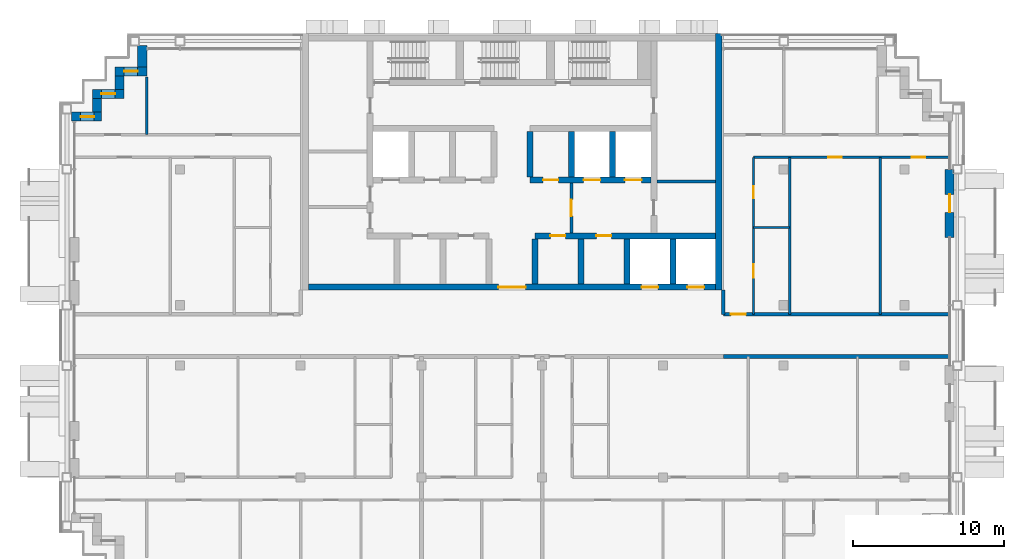
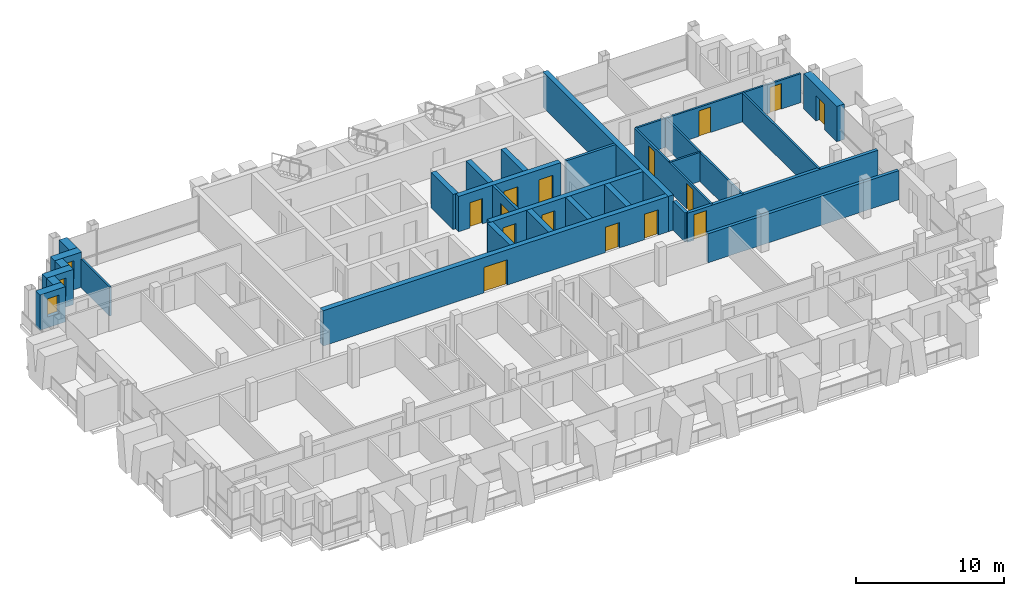
# One storey, part 10 of 16: 29 walls, 15 doors, 3 windows, 18 openings.
"""IFC4 building model written with IfcOpenShell, lengths in metres."""

from ifc_helpers import new_model, si_unit, direction, frame, frame_2d, origin, place, context, subcontext, project, spatial, rectangle, extrude, material, layer, layer_set, type_object, element, fill, save


model = new_model("IFC4")

# Units and contexts
model_context = context("Model", 3, precision=1e-05, world=origin(), true_north=direction((0.0, 1.0)))
body_context = subcontext(model_context, "Body", "Model", "MODEL_VIEW")
ifc_project = project(units=[si_unit("LENGTHUNIT", "METRE"), si_unit("AREAUNIT", "SQUARE_METRE"), si_unit("VOLUMEUNIT", "CUBIC_METRE"), si_unit("PLANEANGLEUNIT", "RADIAN"), si_unit("MASSUNIT", "GRAM", prefix="KILO")], contexts=[model_context])

# Site, building, storey
site_placement = place(None, origin())
site = spatial("IfcSite", under=ifc_project, at=site_placement, CompositionType="ELEMENT")
building_placement = place(site_placement, origin())
building = spatial("IfcBuilding", under=site, at=building_placement, Name="Vidyagriha Tower", CompositionType="ELEMENT")
storey_placement = place(building_placement, frame((0.0, 0.0, 223.60009765625)))
storey = spatial("IfcBuildingStorey", under=building, at=storey_placement, Name="L58", CompositionType="ELEMENT", Elevation=223.60009765625)

# Wall
ifc_material_1 = material(Name="Precast concrete C40/50 with brick facing", Category="concrete")
ifc_layer_1 = layer(ifc_material_1, 0.60009765625)
ifc_layer_set_1 = layer_set([ifc_layer_1], Name="Precast concrete C40/50 with brick facing")
wall_type_1 = type_object("IfcWallType", Name="Brick-faced precast wall 600", PredefinedType="STANDARD", material=ifc_layer_set_1)
wall_1_placement = place(storey_placement, frame((-24.5, 19.199951171875, 0.0), z_axis=(0.0, 0.0, 1.0), x_axis=(0.0, -1.0, 0.0)))
element("IfcWall", 1, at=wall_1_placement, inside=storey, type_object=wall_type_1, Name="Stepped corner wall L58 R10", PredefinedType="STANDARD", context=body_context, shape_type="SweptSolid", body=[
    extrude(rectangle(XDim=1.39990234375, YDim=0.60009765625, at=frame_2d((0.699951171875, 0.0))), origin(), (0.0, 0.0, 1.0), 2.919921875),
])

# Wall, opening, window
wall_2_placement = place(storey_placement, frame((-24.199951171875, 17.5, 0.0), z_axis=(0.0, 0.0, 1.0), x_axis=(-1.0, 0.0, 0.0)))
wall_2 = element("IfcWall", 2, at=wall_2_placement, inside=storey, type_object=wall_type_1, Name="Stepped corner wall L58 R11", PredefinedType="STANDARD", context=body_context, shape_type="SweptSolid", body=[
    extrude(rectangle(XDim=2.10009765625, YDim=0.60009765625, at=frame_2d((1.050048828125, 0.0))), origin(), (0.0, 0.0, 1.0), 2.919921875),
])
opening_1_placement = place(wall_2_placement, frame((0.60009765625, 0.0, 0.89990234375)))
opening_1 = element("IfcOpeningElement", 3, at=opening_1_placement, cuts=wall_2, Name="Opening WN1", PredefinedType="OPENING", context=body_context, shape_type="SweptSolid", body=[
    extrude(rectangle(XDim=0.89990234375, YDim=1.5, at=frame_2d((0.449951171875, 0.75))), frame((0.0, 0.31005859375, 0.0), z_axis=(0.0, -1.0, 0.0), x_axis=(1.0, 0.0, 0.0)), (0.0, 0.0, 1.0), 0.6201171875),
])
ifc_material_2 = material(Name="Aluminium and glass window", Category="aluminium")
window_type = type_object("IfcWindowType", Name="Reveal window 900x1500", PartitioningType="NOTDEFINED", PredefinedType="WINDOW", material=ifc_material_2)
window_1_placement = place(opening_1_placement, origin())
window_1 = element("IfcWindow", 4, at=window_1_placement, inside=storey, type_object=window_type, Name="Reveal window L58 R11", OverallHeight=1.5, OverallWidth=0.89990234375, PartitioningType="SINGLE_PANEL", PredefinedType="WINDOW", context=body_context, shape_type="SweptSolid", body=[
    extrude(rectangle(XDim=0.89990234375, YDim=1.5, at=frame_2d((0.449951171875, 0.75))), frame((0.0, 0.030029296875, 0.0), z_axis=(0.0, -1.0, 0.0), x_axis=(1.0, 0.0, 0.0)), (0.0, 0.0, 1.0), 0.06005859375),
])
fill(opening_1, window_1)

# Wall
wall_3_placement = place(storey_placement, frame((-26.0, 17.199951171875, 0.0), z_axis=(0.0, 0.0, 1.0), x_axis=(0.0, -1.0, 0.0)))
element("IfcWall", 5, at=wall_3_placement, inside=storey, type_object=wall_type_1, Name="Stepped corner wall L58 R12", PredefinedType="STANDARD", context=body_context, shape_type="SweptSolid", body=[
    extrude(rectangle(XDim=0.89990234375, YDim=0.60009765625, at=frame_2d((0.449951171875, 0.0))), origin(), (0.0, 0.0, 1.0), 2.919921875),
])

# Wall, opening, window
wall_4_placement = place(storey_placement, frame((-25.699951171875, 16.0, 0.0), z_axis=(0.0, 0.0, 1.0), x_axis=(-1.0, 0.0, 0.0)))
wall_4 = element("IfcWall", 6, at=wall_4_placement, inside=storey, type_object=wall_type_1, Name="Stepped corner wall L58 R13", PredefinedType="STANDARD", context=body_context, shape_type="SweptSolid", body=[
    extrude(rectangle(XDim=2.10009765625, YDim=0.60009765625, at=frame_2d((1.050048828125, 0.0))), origin(), (0.0, 0.0, 1.0), 2.919921875),
])
opening_2_placement = place(wall_4_placement, frame((0.60009765625, 0.0, 0.89990234375)))
opening_2 = element("IfcOpeningElement", 7, at=opening_2_placement, cuts=wall_4, Name="Opening WN1", PredefinedType="OPENING", context=body_context, shape_type="SweptSolid", body=[
    extrude(rectangle(XDim=0.89990234375, YDim=1.5, at=frame_2d((0.449951171875, 0.75))), frame((0.0, 0.31005859375, 0.0), z_axis=(0.0, -1.0, 0.0), x_axis=(1.0, 0.0, 0.0)), (0.0, 0.0, 1.0), 0.6201171875),
])
window_2_placement = place(opening_2_placement, origin())
window_2 = element("IfcWindow", 8, at=window_2_placement, inside=storey, type_object=window_type, Name="Reveal window L58 R13", OverallHeight=1.5, OverallWidth=0.89990234375, PartitioningType="SINGLE_PANEL", PredefinedType="WINDOW", context=body_context, shape_type="SweptSolid", body=[
    extrude(rectangle(XDim=0.89990234375, YDim=1.5, at=frame_2d((0.449951171875, 0.75))), frame((0.0, 0.030029296875, 0.0), z_axis=(0.0, -1.0, 0.0), x_axis=(1.0, 0.0, 0.0)), (0.0, 0.0, 1.0), 0.06005859375),
])
fill(opening_2, window_2)

# Wall
wall_5_placement = place(storey_placement, frame((-27.5, 15.699951171875, 0.0), z_axis=(0.0, 0.0, 1.0), x_axis=(0.0, -1.0, 0.0)))
element("IfcWall", 9, at=wall_5_placement, inside=storey, type_object=wall_type_1, Name="Stepped corner wall L58 R14", PredefinedType="STANDARD", context=body_context, shape_type="SweptSolid", body=[
    extrude(rectangle(XDim=0.89990234375, YDim=0.60009765625, at=frame_2d((0.449951171875, 0.0))), origin(), (0.0, 0.0, 1.0), 2.919921875),
])

# Wall, opening, window
wall_6_placement = place(storey_placement, frame((-27.199951171875, 14.5, 0.0), z_axis=(0.0, 0.0, 1.0), x_axis=(-1.0, 0.0, 0.0)))
wall_6 = element("IfcWall", 10, at=wall_6_placement, inside=storey, type_object=wall_type_1, Name="Stepped corner wall L58 R15", PredefinedType="STANDARD", context=body_context, shape_type="SweptSolid", body=[
    extrude(rectangle(XDim=2.0, YDim=0.60009765625, at=frame_2d((1.0, 0.0))), origin(), (0.0, 0.0, 1.0), 2.919921875),
])
opening_3_placement = place(wall_6_placement, frame((0.489990234375, 0.0, 0.89990234375)))
opening_3 = element("IfcOpeningElement", 11, at=opening_3_placement, cuts=wall_6, Name="Opening WN1", PredefinedType="OPENING", context=body_context, shape_type="SweptSolid", body=[
    extrude(rectangle(XDim=0.89990234375, YDim=1.5, at=frame_2d((0.449951171875, 0.75))), frame((0.0, 0.31005859375, 0.0), z_axis=(0.0, -1.0, 0.0), x_axis=(1.0, 0.0, 0.0)), (0.0, 0.0, 1.0), 0.6201171875),
])
window_3_placement = place(opening_3_placement, origin())
window_3 = element("IfcWindow", 12, at=window_3_placement, inside=storey, type_object=window_type, Name="Reveal window L58 R15", OverallHeight=1.5, OverallWidth=0.89990234375, PartitioningType="SINGLE_PANEL", PredefinedType="WINDOW", context=body_context, shape_type="SweptSolid", body=[
    extrude(rectangle(XDim=0.89990234375, YDim=1.5, at=frame_2d((0.449951171875, 0.75))), frame((0.0, 0.030029296875, 0.0), z_axis=(0.0, -1.0, 0.0), x_axis=(1.0, 0.0, 0.0)), (0.0, 0.0, 1.0), 0.06005859375),
])
fill(opening_3, window_3)

# Wall, opening, door
wall_7_placement = place(storey_placement, frame((29.0, 6.5, 0.0), z_axis=(0.0, 0.0, 1.0), x_axis=(0.0, 1.0, 0.0)))
wall_7 = element("IfcWall", 13, at=wall_7_placement, inside=storey, type_object=wall_type_1, Name="Brick door bay wall L58 R30.6", PredefinedType="STANDARD", context=body_context, shape_type="SweptSolid", body=[
    extrude(rectangle(XDim=4.5, YDim=0.60009765625, at=frame_2d((2.25, 0.0))), origin(), (0.0, 0.0, 1.0), 2.919921875),
])
opening_4_placement = place(wall_7_placement, frame((1.64990234375, 0.0, 0.0)))
opening_4 = element("IfcOpeningElement", 14, at=opening_4_placement, cuts=wall_7, Name="Opening D58-71", PredefinedType="OPENING", context=body_context, shape_type="SweptSolid", body=[
    extrude(rectangle(XDim=1.199951171875, YDim=2.10009765625, at=frame_2d((0.60009765625, 1.050048828125))), frame((0.0, 0.31005859375, 0.0), z_axis=(0.0, -1.0, 0.0), x_axis=(1.0, 0.0, 0.0)), (0.0, 0.0, 1.0), 0.6201171875),
])
ifc_material_3 = material(Name="Aluminium framed glazed sliding door", Category="aluminium")
door_type_1 = type_object("IfcDoorType", Name="Balcony sliding door 1200x2100", OperationType="NOTDEFINED", PredefinedType="DOOR", material=ifc_material_3)
door_1_placement = place(opening_4_placement, origin())
door_1 = element("IfcDoor", 15, at=door_1_placement, inside=storey, type_object=door_type_1, Name="Door D58-71", OperationType="SLIDING_TO_LEFT", OverallHeight=2.10009765625, OverallWidth=1.199951171875, PredefinedType="DOOR", context=body_context, shape_type="SweptSolid", body=[
    extrude(rectangle(XDim=1.199951171875, YDim=2.10009765625, at=frame_2d((0.60009765625, 1.050048828125))), frame((0.0, 0.02490234375, 0.0), z_axis=(0.0, -1.0, 0.0), x_axis=(1.0, 0.0, 0.0)), (0.0, 0.0, 1.0), 0.050048828125),
])
fill(opening_4, door_1)

# Wall
ifc_material_4 = material(Name="Concrete C60/75", Category="concrete")
ifc_layer_2 = layer(ifc_material_4, 0.39990234375)
ifc_layer_set_2 = layer_set([ifc_layer_2], Name="Concrete C60/75")
wall_type_2 = type_object("IfcWallType", Name="Core shear wall 400 mm", PredefinedType="SHEAR", material=ifc_layer_set_2)
wall_8_placement = place(storey_placement, frame((13.699951171875, 3.0, 0.0), z_axis=(0.0, 0.0, 1.0), x_axis=(0.0, 1.0, 0.0)))
element("IfcWall", 16, at=wall_8_placement, inside=storey, type_object=wall_type_2, Name="Core east wall", PredefinedType="SHEAR", context=body_context, shape_type="SweptSolid", body=[
    extrude(rectangle(XDim=17.0, YDim=0.39990234375, at=frame_2d((8.5, 0.0))), origin(), (0.0, 0.0, 1.0), 2.919921875),
])

# Wall, openings, doors
wall_9_placement = place(storey_placement, frame((-13.5, 3.199951171875, 0.0)))
wall_9 = element("IfcWall", 17, at=wall_9_placement, inside=storey, type_object=wall_type_2, Name="Core front wall", PredefinedType="SHEAR", context=body_context, shape_type="SweptSolid", body=[
    extrude(rectangle(XDim=27.0, YDim=0.39990234375, at=frame_2d((13.5, 0.0))), origin(), (0.0, 0.0, 1.0), 2.919921875),
])
opening_5_placement = place(wall_9_placement, frame((22.083251953125, 0.0, 0.0)))
opening_5 = element("IfcOpeningElement", 18, at=opening_5_placement, cuts=wall_9, Name="Opening LD58-01", PredefinedType="OPENING", context=body_context, shape_type="SweptSolid", body=[
    extrude(rectangle(XDim=1.10009765625, YDim=2.10009765625, at=frame_2d((0.550048828125, 1.050048828125))), frame((0.0, 0.2099609375, 0.0), z_axis=(0.0, -1.0, 0.0), x_axis=(1.0, 0.0, 0.0)), (0.0, 0.0, 1.0), 0.419921875),
])
opening_6_placement = place(wall_9_placement, frame((25.127685546875, 0.0, 0.0)))
opening_6 = element("IfcOpeningElement", 19, at=opening_6_placement, cuts=wall_9, Name="Opening LD58-02", PredefinedType="OPENING", context=body_context, shape_type="SweptSolid", body=[
    extrude(rectangle(XDim=1.10009765625, YDim=2.10009765625, at=frame_2d((0.550048828125, 1.050048828125))), frame((0.0, 0.2099609375, 0.0), z_axis=(0.0, -1.0, 0.0), x_axis=(1.0, 0.0, 0.0)), (0.0, 0.0, 1.0), 0.419921875),
])
opening_7_placement = place(wall_9_placement, frame((12.60009765625, 0.0, 0.0)))
opening_7 = element("IfcOpeningElement", 20, at=opening_7_placement, cuts=wall_9, Name="Opening D58-01", PredefinedType="OPENING", context=body_context, shape_type="SweptSolid", body=[
    extrude(rectangle(XDim=1.800048828125, YDim=2.10009765625, at=frame_2d((0.89990234375, 1.050048828125))), frame((0.0, 0.2099609375, 0.0), z_axis=(0.0, -1.0, 0.0), x_axis=(1.0, 0.0, 0.0)), (0.0, 0.0, 1.0), 0.419921875),
])
ifc_material_5 = material(Name="Hollow metal door leaf")
door_type_2 = type_object("IfcDoorType", Name="Core lobby double door 1800 x 2100 mm EI 60", OperationType="NOTDEFINED", PredefinedType="DOOR", material=ifc_material_5)
door_2_placement = place(opening_7_placement, frame((1.800048828125, 0.0, 0.0), z_axis=(0.0, 0.0, 1.0), x_axis=(-1.0, 0.0, 0.0)))
door_2 = element("IfcDoor", 21, at=door_2_placement, inside=storey, type_object=door_type_2, Name="Core entrance door L58", OperationType="DOUBLE_DOOR_SINGLE_SWING", OverallHeight=2.10009765625, OverallWidth=1.800048828125, PredefinedType="DOOR", context=body_context, shape_type="SweptSolid", body=[
    extrude(rectangle(XDim=1.800048828125, YDim=2.10009765625, at=frame_2d((0.89990234375, 1.050048828125))), frame((0.0, 0.02490234375, 0.0), z_axis=(0.0, -1.0, 0.0), x_axis=(1.0, 0.0, 0.0)), (0.0, 0.0, 1.0), 0.050048828125),
])
fill(opening_7, door_2)
ifc_material_6 = material(Name="Stainless steel sliding door panel", Category="steel")
door_type_3 = type_object("IfcDoorType", Name="Lift landing door 1100 x 2100 mm EI 90", OperationType="NOTDEFINED", PredefinedType="DOOR", material=ifc_material_6)
door_3_placement = place(opening_5_placement, origin())
door_3 = element("IfcDoor", 22, at=door_3_placement, inside=storey, type_object=door_type_3, Name="Landing door MR1 L58", OperationType="SLIDING_TO_LEFT", OverallHeight=2.10009765625, OverallWidth=1.10009765625, PredefinedType="DOOR", context=body_context, shape_type="SweptSolid", body=[
    extrude(rectangle(XDim=1.10009765625, YDim=2.10009765625, at=frame_2d((0.550048828125, 1.050048828125))), frame((0.0, 0.02490234375, 0.0), z_axis=(0.0, -1.0, 0.0), x_axis=(1.0, 0.0, 0.0)), (0.0, 0.0, 1.0), 0.050048828125),
])
fill(opening_5, door_3)
door_4_placement = place(opening_6_placement, origin())
door_4 = element("IfcDoor", 23, at=door_4_placement, inside=storey, type_object=door_type_3, Name="Landing door MR2 L58", OperationType="SLIDING_TO_LEFT", OverallHeight=2.10009765625, OverallWidth=1.10009765625, PredefinedType="DOOR", context=body_context, shape_type="SweptSolid", body=[
    extrude(rectangle(XDim=1.10009765625, YDim=2.10009765625, at=frame_2d((0.550048828125, 1.050048828125))), frame((0.0, 0.02490234375, 0.0), z_axis=(0.0, -1.0, 0.0), x_axis=(1.0, 0.0, 0.0)), (0.0, 0.0, 1.0), 0.050048828125),
])
fill(opening_6, door_4)

wall_10_placement = place(storey_placement, frame((1.522216796875, 6.60009765625, 0.0)))
wall_10 = element("IfcWall", 24, at=wall_10_placement, inside=storey, type_object=wall_type_2, Name="Core lobby south wall east", PredefinedType="SHEAR", context=body_context, shape_type="SweptSolid", body=[
    extrude(rectangle(XDim=11.977783203125, YDim=0.39990234375, at=frame_2d((5.98876953125, 0.0))), origin(), (0.0, 0.0, 1.0), 2.919921875),
])
opening_8_placement = place(wall_10_placement, frame((1.022216796875, 0.0, 0.0)))
opening_8 = element("IfcOpeningElement", 25, at=opening_8_placement, cuts=wall_10, Name="Opening D58-04", PredefinedType="OPENING", context=body_context, shape_type="SweptSolid", body=[
    extrude(rectangle(XDim=1.0, YDim=2.10009765625, at=frame_2d((0.5, 1.050048828125))), frame((0.0, 0.2099609375, 0.0), z_axis=(0.0, -1.0, 0.0), x_axis=(1.0, 0.0, 0.0)), (0.0, 0.0, 1.0), 0.419921875),
])
opening_9_placement = place(wall_10_placement, frame((4.066650390625, 0.0, 0.0)))
opening_9 = element("IfcOpeningElement", 26, at=opening_9_placement, cuts=wall_10, Name="Opening D58-05", PredefinedType="OPENING", context=body_context, shape_type="SweptSolid", body=[
    extrude(rectangle(XDim=1.0, YDim=2.10009765625, at=frame_2d((0.5, 1.050048828125))), frame((0.0, 0.2099609375, 0.0), z_axis=(0.0, -1.0, 0.0), x_axis=(1.0, 0.0, 0.0)), (0.0, 0.0, 1.0), 0.419921875),
])
ifc_material_7 = material(Name="Hollow metal door leaf")
door_type_4 = type_object("IfcDoorType", Name="Core room door 1000 x 2100 mm EI 60", OperationType="NOTDEFINED", PredefinedType="DOOR", material=ifc_material_7)
door_5_placement = place(opening_8_placement, origin())
door_5 = element("IfcDoor", 27, at=door_5_placement, inside=storey, type_object=door_type_4, Name="Door Storage Room 58.03", OperationType="SINGLE_SWING_RIGHT", OverallHeight=2.10009765625, OverallWidth=1.0, PredefinedType="DOOR", context=body_context, shape_type="SweptSolid", body=[
    extrude(rectangle(XDim=1.0, YDim=2.10009765625, at=frame_2d((0.5, 1.050048828125))), frame((0.0, 0.02490234375, 0.0), z_axis=(0.0, -1.0, 0.0), x_axis=(1.0, 0.0, 0.0)), (0.0, 0.0, 1.0), 0.050048828125),
])
fill(opening_8, door_5)
door_6_placement = place(opening_9_placement, origin())
door_6 = element("IfcDoor", 28, at=door_6_placement, inside=storey, type_object=door_type_4, Name="Door Electrical Room 58.04", OperationType="SINGLE_SWING_RIGHT", OverallHeight=2.10009765625, OverallWidth=1.0, PredefinedType="DOOR", context=body_context, shape_type="SweptSolid", body=[
    extrude(rectangle(XDim=1.0, YDim=2.10009765625, at=frame_2d((0.5, 1.050048828125))), frame((0.0, 0.02490234375, 0.0), z_axis=(0.0, -1.0, 0.0), x_axis=(1.0, 0.0, 0.0)), (0.0, 0.0, 1.0), 0.050048828125),
])
fill(opening_9, door_6)

# Walls
for number, where, z_axis, x_axis, name in (
    (29, (1.522216796875, 3.39990234375, 0.0), (0.0, 0.0, 1.0), (0.0, 1.0, 0.0), "Core bay wall S5"),
    (30, (4.566650390625, 3.39990234375, 0.0), (0.0, 0.0, 1.0), (0.0, 1.0, 0.0), "Core bay wall S6"),
    (31, (7.611083984375, 3.39990234375, 0.0), (0.0, 0.0, 1.0), (0.0, 1.0, 0.0), "Core bay wall S7"),
    (32, (10.655517578125, 3.39990234375, 0.0), (0.0, 0.0, 1.0), (0.0, 1.0, 0.0), "Core bay wall S8"),
):
    element("IfcWall", number, at=place(storey_placement, frame(where, z_axis=z_axis, x_axis=x_axis)), inside=storey, type_object=wall_type_2, Name=name, PredefinedType="SHEAR", context=body_context, shape_type="SweptSolid", body=[
        extrude(rectangle(XDim=3.0, YDim=0.39990234375, at=frame_2d((1.5, 0.0))), origin(), (0.0, 0.0, 1.0), 2.919921875),
    ])

# Wall, openings, doors
wall_11_placement = place(storey_placement, frame((1.199951171875, 10.300048828125, 0.0)))
wall_11 = element("IfcWall", 33, at=wall_11_placement, inside=storey, type_object=wall_type_2, Name="Core row N front wall", PredefinedType="SHEAR", context=body_context, shape_type="SweptSolid", body=[
    extrude(rectangle(XDim=8.0, YDim=0.39990234375, at=frame_2d((4.0, 0.0))), origin(), (0.0, 0.0, 1.0), 2.919921875),
])
opening_10_placement = place(wall_11_placement, frame((3.550048828125, 0.0, 0.0)))
opening_10 = element("IfcOpeningElement", 34, at=opening_10_placement, cuts=wall_11, Name="Opening LD58-04", PredefinedType="OPENING", context=body_context, shape_type="SweptSolid", body=[
    extrude(rectangle(XDim=1.10009765625, YDim=2.10009765625, at=frame_2d((0.550048828125, 1.050048828125))), frame((0.0, 0.2099609375, 0.0), z_axis=(0.0, -1.0, 0.0), x_axis=(1.0, 0.0, 0.0)), (0.0, 0.0, 1.0), 0.419921875),
])
opening_11_placement = place(wall_11_placement, frame((6.283203125, 0.0, 0.0)))
opening_11 = element("IfcOpeningElement", 35, at=opening_11_placement, cuts=wall_11, Name="Opening LD58-05", PredefinedType="OPENING", context=body_context, shape_type="SweptSolid", body=[
    extrude(rectangle(XDim=1.10009765625, YDim=2.10009765625, at=frame_2d((0.550048828125, 1.050048828125))), frame((0.0, 0.2099609375, 0.0), z_axis=(0.0, -1.0, 0.0), x_axis=(1.0, 0.0, 0.0)), (0.0, 0.0, 1.0), 0.419921875),
])
opening_12_placement = place(wall_11_placement, frame((0.86669921875, 0.0, 0.0)))
opening_12 = element("IfcOpeningElement", 36, at=opening_12_placement, cuts=wall_11, Name="Opening D58-08", PredefinedType="OPENING", context=body_context, shape_type="SweptSolid", body=[
    extrude(rectangle(XDim=1.0, YDim=2.10009765625, at=frame_2d((0.5, 1.050048828125))), frame((0.0, 0.2099609375, 0.0), z_axis=(0.0, -1.0, 0.0), x_axis=(1.0, 0.0, 0.0)), (0.0, 0.0, 1.0), 0.419921875),
])
door_7_placement = place(opening_12_placement, frame((1.0, 0.0, 0.0), z_axis=(0.0, 0.0, 1.0), x_axis=(-1.0, 0.0, 0.0)))
door_7 = element("IfcDoor", 37, at=door_7_placement, inside=storey, type_object=door_type_4, Name="Door Switchgear Room 58.16", OperationType="SINGLE_SWING_LEFT", OverallHeight=2.10009765625, OverallWidth=1.0, PredefinedType="DOOR", context=body_context, shape_type="SweptSolid", body=[
    extrude(rectangle(XDim=1.0, YDim=2.10009765625, at=frame_2d((0.5, 1.050048828125))), frame((0.0, 0.02490234375, 0.0), z_axis=(0.0, -1.0, 0.0), x_axis=(1.0, 0.0, 0.0)), (0.0, 0.0, 1.0), 0.050048828125),
])
fill(opening_12, door_7)
door_8_placement = place(opening_10_placement, origin())
door_8 = element("IfcDoor", 38, at=door_8_placement, inside=storey, type_object=door_type_3, Name="Landing door FF1 L58", OperationType="SLIDING_TO_LEFT", OverallHeight=2.10009765625, OverallWidth=1.10009765625, PredefinedType="DOOR", context=body_context, shape_type="SweptSolid", body=[
    extrude(rectangle(XDim=1.10009765625, YDim=2.10009765625, at=frame_2d((0.550048828125, 1.050048828125))), frame((0.0, 0.02490234375, 0.0), z_axis=(0.0, -1.0, 0.0), x_axis=(1.0, 0.0, 0.0)), (0.0, 0.0, 1.0), 0.050048828125),
])
fill(opening_10, door_8)
door_9_placement = place(opening_11_placement, origin())
door_9 = element("IfcDoor", 39, at=door_9_placement, inside=storey, type_object=door_type_3, Name="Landing door FF2 L58", OperationType="SLIDING_TO_LEFT", OverallHeight=2.10009765625, OverallWidth=1.10009765625, PredefinedType="DOOR", context=body_context, shape_type="SweptSolid", body=[
    extrude(rectangle(XDim=1.10009765625, YDim=2.10009765625, at=frame_2d((0.550048828125, 1.050048828125))), frame((0.0, 0.02490234375, 0.0), z_axis=(0.0, -1.0, 0.0), x_axis=(1.0, 0.0, 0.0)), (0.0, 0.0, 1.0), 0.050048828125),
])
fill(opening_11, door_9)

# Walls
for number, where, z_axis, x_axis, name in (
    (40, (1.199951171875, 10.5, 0.0), (0.0, 0.0, 1.0), (0.0, 1.0, 0.0), "Core bay wall N4"),
    (41, (3.933349609375, 10.5, 0.0), (0.0, 0.0, 1.0), (0.0, 1.0, 0.0), "Core bay wall N5"),
    (42, (6.666748046875, 10.5, 0.0), (0.0, 0.0, 1.0), (0.0, 1.0, 0.0), "Core bay wall N6"),
):
    element("IfcWall", number, at=place(storey_placement, frame(where, z_axis=z_axis, x_axis=x_axis)), inside=storey, type_object=wall_type_2, Name=name, PredefinedType="SHEAR", context=body_context, shape_type="SweptSolid", body=[
        extrude(rectangle(XDim=3.0, YDim=0.39990234375, at=frame_2d((1.5, 0.0))), origin(), (0.0, 0.0, 1.0), 2.919921875),
    ])
ifc_material_8 = material(Name="Fired clay brick masonry", Category="masonry")
ifc_layer_3 = layer(ifc_material_8, 0.25)
ifc_layer_set_3 = layer_set([ifc_layer_3], Name="Fired clay brick masonry")
wall_type_3 = type_object("IfcWallType", Name="Fired clay brick corridor wall 250", PredefinedType="PARTITIONING", material=ifc_layer_set_3)
wall_12_placement = place(storey_placement, frame((28.919921875, -1.39990234375, 0.0), z_axis=(0.0, 0.0, 1.0), x_axis=(-1.0, 0.0, 0.0)))
element("IfcWall", 43, at=wall_12_placement, inside=storey, type_object=wall_type_3, Name="Wall all-L58-w063", PredefinedType="PARTITIONING", context=body_context, shape_type="SweptSolid", body=[
    extrude(rectangle(XDim=14.919921875, YDim=0.25, at=frame_2d((7.4599609375, 0.0))), origin(), (0.0, 0.0, 1.0), 2.39990234375),
])

# Wall, opening, door
wall_13_placement = place(storey_placement, frame((14.0, 1.39990234375, 0.0)))
wall_13 = element("IfcWall", 44, at=wall_13_placement, inside=storey, type_object=wall_type_3, Name="Wall all-L58-w095", PredefinedType="PARTITIONING", context=body_context, shape_type="SweptSolid", body=[
    extrude(rectangle(XDim=14.919921875, YDim=0.25, at=frame_2d((7.4599609375, 0.0))), origin(), (0.0, 0.0, 1.0), 2.39990234375),
])
opening_13_placement = place(wall_13_placement, frame((0.5, 0.0, 0.0)))
opening_13 = element("IfcOpeningElement", 45, at=opening_13_placement, cuts=wall_13, Name="Opening D58-61", PredefinedType="OPENING", context=body_context, shape_type="SweptSolid", body=[
    extrude(rectangle(XDim=1.0, YDim=2.10009765625, at=frame_2d((0.5, 1.050048828125))), frame((0.0, 0.135009765625, 0.0), z_axis=(0.0, -1.0, 0.0), x_axis=(1.0, 0.0, 0.0)), (0.0, 0.0, 1.0), 0.27001953125),
])
ifc_material_9 = material(Name="Fire-rated timber door leaf EI 60", Category="wood")
door_type_5 = type_object("IfcDoorType", Name="Flat entrance fire door 1000x2100", OperationType="NOTDEFINED", PredefinedType="DOOR", material=ifc_material_9)
door_10_placement = place(opening_13_placement, origin())
door_10 = element("IfcDoor", 46, at=door_10_placement, inside=storey, type_object=door_type_5, Name="Door D58-61", OperationType="SINGLE_SWING_LEFT", OverallHeight=2.10009765625, OverallWidth=1.0, PredefinedType="DOOR", context=body_context, shape_type="SweptSolid", body=[
    extrude(rectangle(XDim=1.0, YDim=2.10009765625, at=frame_2d((0.5, 1.050048828125))), frame((0.0, 0.02490234375, 0.0), z_axis=(0.0, -1.0, 0.0), x_axis=(1.0, 0.0, 0.0)), (0.0, 0.0, 1.0), 0.050048828125),
])
fill(opening_13, door_10)

# Walls
wall_14_placement = place(storey_placement, frame((14.0, 1.39990234375, 0.0), z_axis=(0.0, 0.0, 1.0), x_axis=(0.0, 1.0, 0.0)))
element("IfcWall", 47, at=wall_14_placement, inside=storey, type_object=wall_type_3, Name="Wall all-L58-w098", PredefinedType="PARTITIONING", context=body_context, shape_type="SweptSolid", body=[
    extrude(rectangle(XDim=1.60009765625, YDim=0.25, at=frame_2d((0.800048828125, 0.0))), origin(), (0.0, 0.0, 1.0), 2.39990234375),
])
ifc_material_10 = material(Name="Gypsum board partition")
ifc_layer_4 = layer(ifc_material_10, 0.14990234375)
ifc_layer_set_4 = layer_set([ifc_layer_4], Name="Gypsum board partition")
wall_type_4 = type_object("IfcWallType", Name="Gypsum board partition 150", PredefinedType="PARTITIONING", material=ifc_layer_set_4)
wall_15_placement = place(storey_placement, frame((-24.199951171875, 17.1201171875, 0.0), z_axis=(0.0, 0.0, 1.0), x_axis=(0.0, -1.0, 0.0)))
element("IfcWall", 48, at=wall_15_placement, inside=storey, type_object=wall_type_4, Name="Wall all-L58-w076", PredefinedType="PARTITIONING", context=body_context, shape_type="SweptSolid", body=[
    extrude(rectangle(XDim=3.820068359375, YDim=0.14990234375, at=frame_2d((1.91015625, 0.0))), origin(), (0.0, 0.0, 1.0), 2.39990234375),
])
wall_16_placement = place(storey_placement, frame((16.0, 7.14990234375, 0.0)))
element("IfcWall", 49, at=wall_16_placement, inside=storey, type_object=wall_type_4, Name="Wall all-L58-w082", PredefinedType="PARTITIONING", context=body_context, shape_type="SweptSolid", body=[
    extrude(rectangle(XDim=2.39990234375, YDim=0.14990234375, at=frame_2d((1.199951171875, 0.0))), origin(), (0.0, 0.0, 1.0), 2.39990234375),
])
for number, where, z_axis, x_axis, name in (
    (50, (18.39990234375, 11.800048828125, 0.0), (0.0, 0.0, 1.0), (0.0, -1.0, 0.0), "Wall all-L58-w083"),
    (51, (24.39990234375, 11.800048828125, 0.0), (0.0, 0.0, 1.0), (0.0, -1.0, 0.0), "Wall all-L58-w084"),
):
    element("IfcWall", number, at=place(storey_placement, frame(where, z_axis=z_axis, x_axis=x_axis)), inside=storey, type_object=wall_type_4, Name=name, PredefinedType="PARTITIONING", context=body_context, shape_type="SweptSolid", body=[
        extrude(rectangle(XDim=10.400146484375, YDim=0.14990234375, at=frame_2d((5.2001953125, 0.0))), origin(), (0.0, 0.0, 1.0), 2.39990234375),
    ])

# Wall, openings, doors
wall_17_placement = place(storey_placement, frame((28.919921875, 11.800048828125, 0.0), z_axis=(0.0, 0.0, 1.0), x_axis=(-1.0, 0.0, 0.0)))
wall_17 = element("IfcWall", 52, at=wall_17_placement, inside=storey, type_object=wall_type_4, Name="Wall all-L58-w085", PredefinedType="PARTITIONING", context=body_context, shape_type="SweptSolid", body=[
    extrude(rectangle(XDim=12.919921875, YDim=0.14990234375, at=frame_2d((6.4599609375, 0.0))), origin(), (0.0, 0.0, 1.0), 2.39990234375),
])
opening_14_placement = place(wall_17_placement, frame((7.070068359375, 0.0, 0.0)))
opening_14 = element("IfcOpeningElement", 53, at=opening_14_placement, cuts=wall_17, Name="Opening D58-56", PredefinedType="OPENING", context=body_context, shape_type="SweptSolid", body=[
    extrude(rectangle(XDim=0.89990234375, YDim=2.10009765625, at=frame_2d((0.449951171875, 1.050048828125))), frame((0.0, 0.0849609375, 0.0), z_axis=(0.0, -1.0, 0.0), x_axis=(1.0, 0.0, 0.0)), (0.0, 0.0, 1.0), 0.169921875),
])
opening_15_placement = place(wall_17_placement, frame((1.5439453125, 0.0, 0.0)))
opening_15 = element("IfcOpeningElement", 54, at=opening_15_placement, cuts=wall_17, Name="Opening D58-57", PredefinedType="OPENING", context=body_context, shape_type="SweptSolid", body=[
    extrude(rectangle(XDim=0.89990234375, YDim=2.10009765625, at=frame_2d((0.449951171875, 1.050048828125))), frame((0.0, 0.0849609375, 0.0), z_axis=(0.0, -1.0, 0.0), x_axis=(1.0, 0.0, 0.0)), (0.0, 0.0, 1.0), 0.169921875),
])
ifc_material_11 = material(Name="Timber door leaf", Category="wood")
door_type_6 = type_object("IfcDoorType", Name="Room door 900x2100", OperationType="NOTDEFINED", PredefinedType="DOOR", material=ifc_material_11)
door_11_placement = place(opening_14_placement, origin())
door_11 = element("IfcDoor", 55, at=door_11_placement, inside=storey, type_object=door_type_6, Name="Door D58-56", OperationType="SINGLE_SWING_RIGHT", OverallHeight=2.10009765625, OverallWidth=0.89990234375, PredefinedType="DOOR", context=body_context, shape_type="SweptSolid", body=[
    extrude(rectangle(XDim=0.89990234375, YDim=2.10009765625, at=frame_2d((0.449951171875, 1.050048828125))), frame((0.0, 0.02490234375, 0.0), z_axis=(0.0, -1.0, 0.0), x_axis=(1.0, 0.0, 0.0)), (0.0, 0.0, 1.0), 0.050048828125),
])
fill(opening_14, door_11)
door_12_placement = place(opening_15_placement, origin())
door_12 = element("IfcDoor", 56, at=door_12_placement, inside=storey, type_object=door_type_6, Name="Door D58-57", OperationType="SINGLE_SWING_LEFT", OverallHeight=2.10009765625, OverallWidth=0.89990234375, PredefinedType="DOOR", context=body_context, shape_type="SweptSolid", body=[
    extrude(rectangle(XDim=0.89990234375, YDim=2.10009765625, at=frame_2d((0.449951171875, 1.050048828125))), frame((0.0, 0.02490234375, 0.0), z_axis=(0.0, -1.0, 0.0), x_axis=(1.0, 0.0, 0.0)), (0.0, 0.0, 1.0), 0.050048828125),
])
fill(opening_15, door_12)

ifc_material_12 = material(Name="Moisture resistant gypsum board partition")
ifc_layer_5 = layer(ifc_material_12, 0.14990234375)
ifc_layer_set_5 = layer_set([ifc_layer_5], Name="Moisture resistant gypsum board partition")
wall_type_5 = type_object("IfcWallType", Name="Gypsum board wet-area partition 150", PredefinedType="PARTITIONING", material=ifc_layer_set_5)
wall_18_placement = place(storey_placement, frame((16.0, 11.800048828125, 0.0), z_axis=(0.0, 0.0, 1.0), x_axis=(0.0, -1.0, 0.0)))
wall_18 = element("IfcWall", 57, at=wall_18_placement, inside=storey, type_object=wall_type_5, Name="Wall all-L58-w079", PredefinedType="PARTITIONING", context=body_context, shape_type="SweptSolid", body=[
    extrude(rectangle(XDim=10.400146484375, YDim=0.14990234375, at=frame_2d((5.2001953125, 0.0))), origin(), (0.0, 0.0, 1.0), 2.39990234375),
])
opening_16_placement = place(wall_18_placement, frame((7.074951171875, 0.0, 0.0)))
opening_16 = element("IfcOpeningElement", 58, at=opening_16_placement, cuts=wall_18, Name="Opening D58-54", PredefinedType="OPENING", context=body_context, shape_type="SweptSolid", body=[
    extrude(rectangle(XDim=0.89990234375, YDim=2.10009765625, at=frame_2d((0.449951171875, 1.050048828125))), frame((0.0, 0.0849609375, 0.0), z_axis=(0.0, -1.0, 0.0), x_axis=(1.0, 0.0, 0.0)), (0.0, 0.0, 1.0), 0.169921875),
])
opening_17_placement = place(wall_18_placement, frame((1.925048828125, 0.0, 0.0)))
opening_17 = element("IfcOpeningElement", 59, at=opening_17_placement, cuts=wall_18, Name="Opening D58-55", PredefinedType="OPENING", context=body_context, shape_type="SweptSolid", body=[
    extrude(rectangle(XDim=0.800048828125, YDim=2.10009765625, at=frame_2d((0.39990234375, 1.050048828125))), frame((0.0, 0.0849609375, 0.0), z_axis=(0.0, -1.0, 0.0), x_axis=(1.0, 0.0, 0.0)), (0.0, 0.0, 1.0), 0.169921875),
])
ifc_material_13 = material(Name="Timber door leaf", Category="wood")
door_type_7 = type_object("IfcDoorType", Name="Bathroom door 800x2100", OperationType="NOTDEFINED", PredefinedType="DOOR", material=ifc_material_13)
door_13_placement = place(opening_17_placement, origin())
door_13 = element("IfcDoor", 60, at=door_13_placement, inside=storey, type_object=door_type_7, Name="Door D58-55", OperationType="SINGLE_SWING_RIGHT", OverallHeight=2.10009765625, OverallWidth=0.800048828125, PredefinedType="DOOR", context=body_context, shape_type="SweptSolid", body=[
    extrude(rectangle(XDim=0.800048828125, YDim=2.10009765625, at=frame_2d((0.39990234375, 1.050048828125))), frame((0.0, 0.02490234375, 0.0), z_axis=(0.0, -1.0, 0.0), x_axis=(1.0, 0.0, 0.0)), (0.0, 0.0, 1.0), 0.050048828125),
])
fill(opening_17, door_13)
ifc_material_14 = material(Name="Timber door leaf", Category="wood")
door_type_8 = type_object("IfcDoorType", Name="Kitchen door 900x2100", OperationType="NOTDEFINED", PredefinedType="DOOR", material=ifc_material_14)
door_14_placement = place(opening_16_placement, origin())
door_14 = element("IfcDoor", 61, at=door_14_placement, inside=storey, type_object=door_type_8, Name="Door D58-54", OperationType="SINGLE_SWING_LEFT", OverallHeight=2.10009765625, OverallWidth=0.89990234375, PredefinedType="DOOR", context=body_context, shape_type="SweptSolid", body=[
    extrude(rectangle(XDim=0.89990234375, YDim=2.10009765625, at=frame_2d((0.449951171875, 1.050048828125))), frame((0.0, 0.02490234375, 0.0), z_axis=(0.0, -1.0, 0.0), x_axis=(1.0, 0.0, 0.0)), (0.0, 0.0, 1.0), 0.050048828125),
])
fill(opening_16, door_14)

# Wall, opening, door
ifc_material_15 = material(Name="Blockwork 15 MPa", Category="masonry")
ifc_layer_6 = layer(ifc_material_15, 0.199951171875)
ifc_layer_set_6 = layer_set([ifc_layer_6], Name="Blockwork 15 MPa")
wall_type_6 = type_object("IfcWallType", Name="Service room partition 200 mm", PredefinedType="PARTITIONING", material=ifc_layer_set_6)
wall_19_placement = place(storey_placement, frame((3.933349609375, 6.800048828125, 0.0), z_axis=(0.0, 0.0, 1.0), x_axis=(0.0, 1.0, 0.0)))
wall_19 = element("IfcWall", 62, at=wall_19_placement, inside=storey, type_object=wall_type_6, Name="Fire-fighting lobby west wall", PredefinedType="PARTITIONING", context=body_context, shape_type="SweptSolid", body=[
    extrude(rectangle(XDim=3.300048828125, YDim=0.199951171875, at=frame_2d((1.64990234375, 0.0))), origin(), (0.0, 0.0, 1.0), 2.919921875),
])
opening_18_placement = place(wall_19_placement, frame((1.10009765625, 0.0, 0.0)))
opening_18 = element("IfcOpeningElement", 63, at=opening_18_placement, cuts=wall_19, Name="Opening D58-09", PredefinedType="OPENING", context=body_context, shape_type="SweptSolid", body=[
    extrude(rectangle(XDim=1.10009765625, YDim=2.10009765625, at=frame_2d((0.550048828125, 1.050048828125))), frame((0.0, 0.10986328125, 0.0), z_axis=(0.0, -1.0, 0.0), x_axis=(1.0, 0.0, 0.0)), (0.0, 0.0, 1.0), 0.219970703125),
])
ifc_material_16 = material(Name="Hollow metal door leaf")
door_type_9 = type_object("IfcDoorType", Name="Fire-fighting lobby door 1100 x 2100 mm EI 90", OperationType="NOTDEFINED", PredefinedType="DOOR", material=ifc_material_16)
door_15_placement = place(opening_18_placement, origin())
door_15 = element("IfcDoor", 64, at=door_15_placement, inside=storey, type_object=door_type_9, Name="Fire-fighting lobby door L58", OperationType="SINGLE_SWING_RIGHT", OverallHeight=2.10009765625, OverallWidth=1.10009765625, PredefinedType="DOOR", context=body_context, shape_type="SweptSolid", body=[
    extrude(rectangle(XDim=1.10009765625, YDim=2.10009765625, at=frame_2d((0.550048828125, 1.050048828125))), frame((0.0, 0.02490234375, 0.0), z_axis=(0.0, -1.0, 0.0), x_axis=(1.0, 0.0, 0.0)), (0.0, 0.0, 1.0), 0.050048828125),
])
fill(opening_18, door_15)

# Wall
wall_20_placement = place(storey_placement, frame((9.60009765625, 10.199951171875, 0.0)))
element("IfcWall", 65, at=wall_20_placement, inside=storey, type_object=wall_type_6, Name="Core room partition E1", PredefinedType="PARTITIONING", context=body_context, shape_type="SweptSolid", body=[
    extrude(rectangle(XDim=3.89990234375, YDim=0.199951171875, at=frame_2d((1.949951171875, 0.0))), origin(), (0.0, 0.0, 1.0), 2.919921875),
])

save(model, "model.ifc")
